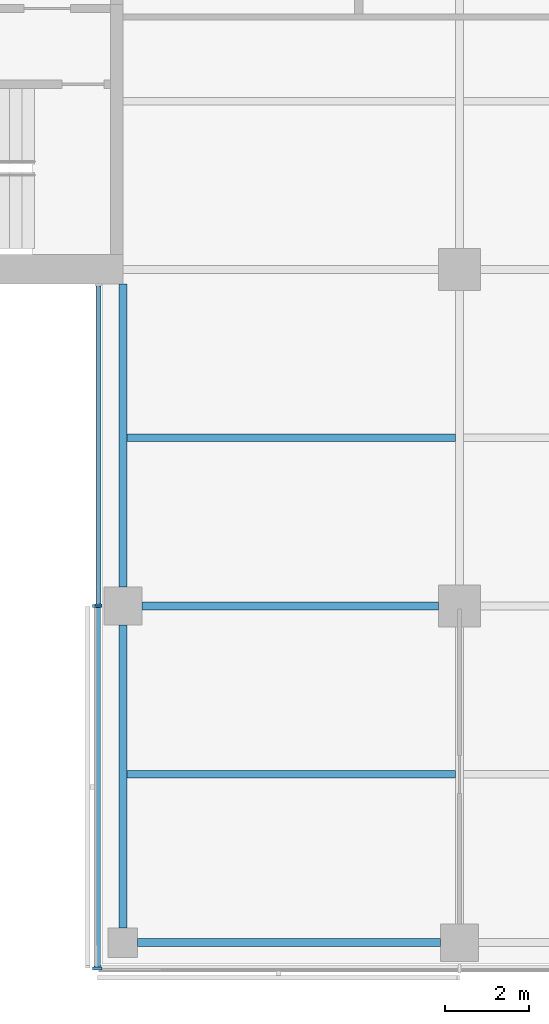
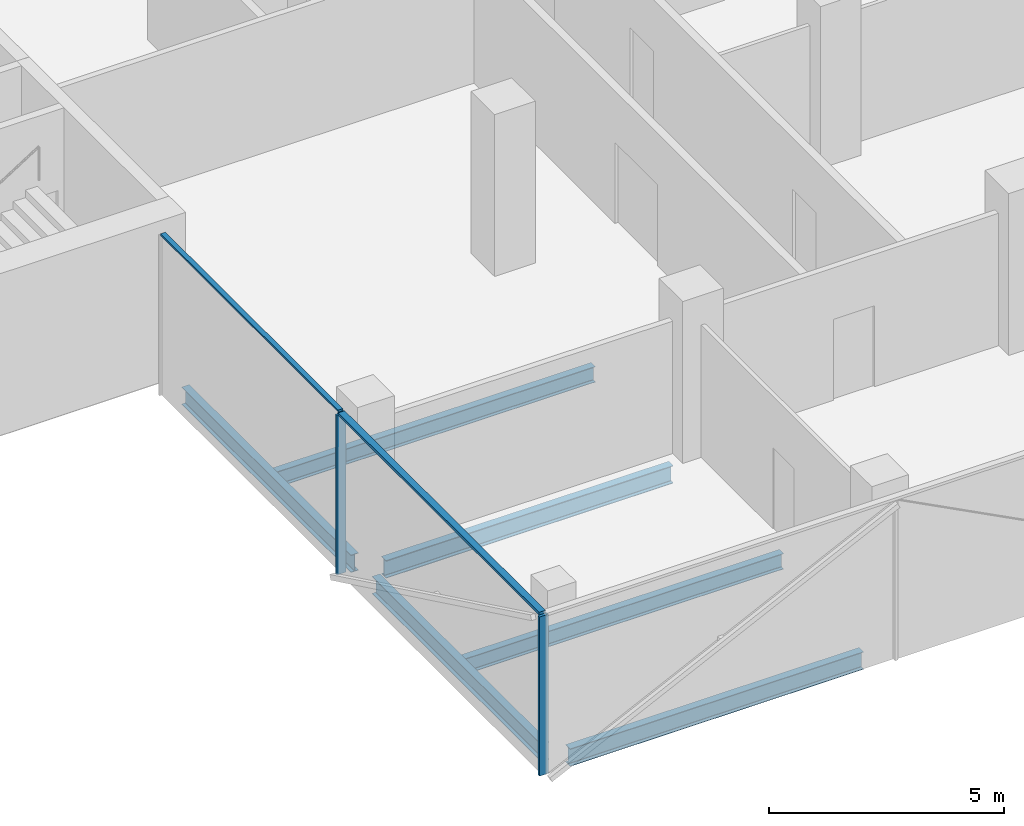
# One storey, part 2 of 22: 6 beams, 5 members, 2 elements without a shape of their own.
"""IFC4 building model written with IfcOpenShell, lengths in metres."""

from ifc_helpers import new_model, si_unit, direction, frame, origin, origin_2d, place, context, subcontext, project, spatial, rectangle, i_section, extrude, material, material_profile, profile_set, type_object, element, aggregate, save


model = new_model("IFC4")

# Units and contexts
model_context = context("Model", 3, precision=1e-05, world=origin(), true_north=direction((0.0, 1.0)))
body_context = subcontext(model_context, "Body", "Model", "MODEL_VIEW")
ifc_project = project(units=[si_unit("LENGTHUNIT", "METRE"), si_unit("AREAUNIT", "SQUARE_METRE"), si_unit("VOLUMEUNIT", "CUBIC_METRE"), si_unit("PLANEANGLEUNIT", "RADIAN"), si_unit("MASSUNIT", "GRAM", prefix="KILO")], contexts=[model_context])

# Site, building, storey
site_placement = place(None, origin())
site = spatial("IfcSite", under=ifc_project, at=site_placement, CompositionType="ELEMENT")
building_placement = place(site_placement, origin())
building = spatial("IfcBuilding", under=site, at=building_placement, Name="Crosswind Convention Tower", CompositionType="ELEMENT")
storey_placement = place(building_placement, frame((0.0, 0.0, 125.300048828125)))
storey = spatial("IfcBuildingStorey", under=building, at=storey_placement, Name="L25", CompositionType="ELEMENT", Elevation=125.300048828125)

# Beams
ifc_material_1 = material(Name="Steel S355", Category="steel")
ifc_material_profile_1 = material_profile(ifc_material_1, i_section(OverallWidth=0.18994140625, OverallDepth=0.45361328125, WebThickness=0.008544921875, FlangeThickness=0.0126953125, FilletRadius=0.01025390625, at=origin_2d()), Name="UB 457x191x67")
ifc_profile_set_1 = profile_set([ifc_material_profile_1], Name="Steel S355")
beam_type_1 = type_object("IfcBeamType", Name="Edge beam UB 457x191x67", PredefinedType="SPANDREL", material=ifc_profile_set_1)
for number, where, z_axis, x_axis, name in (
    (1, (113.0, 72.35009765625, -0.52685546875), (0.0, 1.0, 0.0), (-1.0, 0.0, 0.0), "B16 L25 edge beam 6"),
    (2, (113.0, 80.449951171875, -0.52685546875), (0.0, 1.0, 0.0), (-1.0, 0.0, 0.0), "B16 L25 edge beam 7"),
    (3, (113.35009765625, 72.0, -0.52685546875), (1.0, 0.0, 0.0), (0.0, 1.0, 0.0), "B16 L25 edge beam 10"),
):
    element("IfcBeam", number, at=place(storey_placement, frame(where, z_axis=z_axis, x_axis=x_axis)), inside=storey, type_object=beam_type_1, Name=name, PredefinedType="SPANDREL", context=body_context, shape_type="SweptSolid", body=[
        extrude(i_section(OverallWidth=0.18994140625, OverallDepth=0.45361328125, WebThickness=0.008544921875, FlangeThickness=0.0126953125, FilletRadius=0.01025390625, at=origin_2d()), origin(), (0.0, 0.0, 1.0), 7.199951171875),
    ])
ifc_material_profile_2 = material_profile(ifc_material_1, i_section(OverallWidth=0.19140625, OverallDepth=0.460205078125, WebThickness=0.010009765625, FlangeThickness=0.01611328125, FilletRadius=0.01025390625, at=origin_2d()), Name="UB 457x191x82")
ifc_profile_set_2 = profile_set([ifc_material_profile_2], Name="Steel S355")
beam_type_2 = type_object("IfcBeamType", Name="Girder UB 457x191x82", PredefinedType="BEAM", material=ifc_profile_set_2)
beam_placement = place(storey_placement, frame((113.449951171875, 80.0, -0.530029296875), z_axis=(1.0, 0.0, 0.0), x_axis=(0.0, 1.0, 0.0)))
element("IfcBeam", 4, at=beam_placement, inside=storey, type_object=beam_type_2, Name="B3 L25 girder 1", PredefinedType="BEAM", context=body_context, shape_type="SweptSolid", body=[
    extrude(i_section(OverallWidth=0.19140625, OverallDepth=0.460205078125, WebThickness=0.010009765625, FlangeThickness=0.01611328125, FilletRadius=0.01025390625, at=origin_2d()), origin(), (0.0, 0.0, 1.0), 7.050048828125),
])

# Curtain wall, member
ifc_material_2 = material(Name="Aluminium unitised curtain wall", Category="aluminium")
curtain_wall_type_1 = type_object("IfcCurtainWallType", Name="CORE END SLOT WALL 160", PredefinedType="USERDEFINED", material=ifc_material_2)
curtain_wall_1_placement = place(storey_placement, origin())
curtain_wall_1 = element("IfcCurtainWall", 5, at=curtain_wall_1_placement, inside=storey, type_object=curtain_wall_type_1, Name="CW6 L25 S-W.1-1 slot", ObjectType="UNITISED", PredefinedType="USERDEFINED")
ifc_material_3 = material(Name="Aluminium mullion", Category="aluminium")
ifc_material_profile_3 = material_profile(ifc_material_3, rectangle(XDim=0.159912109375, YDim=0.050048828125, at=origin_2d()), Name="AL 160X50")
ifc_profile_set_3 = profile_set([ifc_material_profile_3], Name="Aluminium mullion")
member_type_1 = type_object("IfcMemberType", Name="MULLION 50X160", PredefinedType="MULLION", material=ifc_profile_set_3)
member_1_placement = place(storey_placement, frame((112.419921875, 80.02490234375, -0.300048828125), z_axis=(0.0, 0.0, 1.0), x_axis=(-1.0, 0.0, 0.0)))
member_1 = element("IfcMember", 6, at=member_1_placement, type_object=member_type_1, Name="CW6 mullion 2", PredefinedType="MULLION", context=body_context, shape_type="SweptSolid", body=[
    extrude(rectangle(XDim=0.159912109375, YDim=0.050048828125, at=origin_2d()), origin(), (0.0, 0.0, 1.0), 4.14990234375),
])

# Curtain wall, members
curtain_wall_type_2 = type_object("IfcCurtainWallType", Name="OFFICE UNITISED WALL 220", PredefinedType="USERDEFINED", material=ifc_material_2)
curtain_wall_2_placement = place(storey_placement, origin())
curtain_wall_2 = element("IfcCurtainWall", 7, at=curtain_wall_2_placement, inside=storey, type_object=curtain_wall_type_2, Name="CW3 L25 S-W 1", ObjectType="UNITISED", PredefinedType="USERDEFINED")
ifc_material_profile_4 = material_profile(ifc_material_3, rectangle(XDim=0.219970703125, YDim=0.070068359375, at=origin_2d()), Name="AL 220X70")
ifc_profile_set_4 = profile_set([ifc_material_profile_4], Name="Aluminium mullion")
member_type_2 = type_object("IfcMemberType", Name="MULLION 70X220", PredefinedType="MULLION", material=ifc_profile_set_4)
member_2_placement = place(storey_placement, frame((112.389892578125, 80.0, -0.300048828125), z_axis=(0.0, 0.0, 1.0), x_axis=(-1.0, 0.0, 0.0)))
member_2 = element("IfcMember", 8, at=member_2_placement, type_object=member_type_2, Name="CW3 mullion 1", PredefinedType="MULLION", context=body_context, shape_type="SweptSolid", body=[
    extrude(rectangle(XDim=0.219970703125, YDim=0.070068359375, at=origin_2d()), origin(), (0.0, 0.0, 1.0), 4.1298828125),
])
member_3_placement = place(storey_placement, frame((112.389892578125, 71.389892578125, -0.300048828125), z_axis=(0.0, 0.0, 1.0), x_axis=(-1.0, 0.0, 0.0)))
member_3 = element("IfcMember", 9, at=member_3_placement, type_object=member_type_2, Name="CW3 mullion 2", PredefinedType="MULLION", context=body_context, shape_type="SweptSolid", body=[
    extrude(rectangle(XDim=0.219970703125, YDim=0.070068359375, at=origin_2d()), origin(), (0.0, 0.0, 1.0), 4.1298828125),
])

# Beams
ifc_material_profile_5 = material_profile(ifc_material_1, i_section(OverallWidth=0.177734375, OverallDepth=0.406494140625, WebThickness=0.0078125, FlangeThickness=0.0126953125, FilletRadius=0.01025390625, at=origin_2d()), Name="UB 406x178x60")
ifc_profile_set_5 = profile_set([ifc_material_profile_5], Name="Steel S355")
beam_type_3 = type_object("IfcBeamType", Name="Secondary beam UB 406x178x60", PredefinedType="JOIST", material=ifc_profile_set_5)
for number, where, z_axis, x_axis, name in (
    (10, (113.094970703125, 76.0, -0.503173828125), (1.0, 0.0, 0.0), (0.0, 1.0, 0.0), "B10 L25 secondary beam 7"),
    (11, (113.094970703125, 84.0, -0.503173828125), (1.0, 0.0, 0.0), (0.0, 1.0, 0.0), "B10 L25 secondary beam 8"),
):
    element("IfcBeam", number, at=place(storey_placement, frame(where, z_axis=z_axis, x_axis=x_axis)), inside=storey, type_object=beam_type_3, Name=name, PredefinedType="JOIST", context=body_context, shape_type="SweptSolid", body=[
        extrude(i_section(OverallWidth=0.177734375, OverallDepth=0.406494140625, WebThickness=0.0078125, FlangeThickness=0.0126953125, FilletRadius=0.01025390625, at=origin_2d()), origin(), (0.0, 0.0, 1.0), 7.809326171875),
    ])

# Member
ifc_material_4 = material(Name="Aluminium transom", Category="aluminium")
ifc_material_profile_6 = material_profile(ifc_material_4, rectangle(XDim=0.1201171875, YDim=0.050048828125, at=origin_2d()), Name="AL 120X50")
ifc_profile_set_6 = profile_set([ifc_material_profile_6], Name="Aluminium transom")
member_type_3 = type_object("IfcMemberType", Name="TRANSOM 50X120", PredefinedType="USERDEFINED", material=ifc_profile_set_6)
member_4_placement = place(storey_placement, frame((112.419921875, 87.60009765625, 3.875), z_axis=(0.0, -1.0, 0.0), x_axis=(1.0, 0.0, 0.0)))
member_4 = element("IfcMember", 12, at=member_4_placement, type_object=member_type_3, Name="CW6 transom", ObjectType="TRANSOM", PredefinedType="USERDEFINED", context=body_context, shape_type="SweptSolid", body=[
    extrude(rectangle(XDim=0.1201171875, YDim=0.050048828125, at=origin_2d()), origin(), (0.0, 0.0, 1.0), 7.550048828125),
])

aggregate(curtain_wall_1, [member_1, member_4])

ifc_material_profile_7 = material_profile(ifc_material_4, rectangle(XDim=0.159912109375, YDim=0.070068359375, at=origin_2d()), Name="AL 160X70")
ifc_profile_set_7 = profile_set([ifc_material_profile_7], Name="Aluminium transom")
member_type_4 = type_object("IfcMemberType", Name="TRANSOM 70X160", PredefinedType="USERDEFINED", material=ifc_profile_set_7)
member_5_placement = place(storey_placement, frame((112.389892578125, 79.965087890625, 3.864990234375), z_axis=(0.0, -1.0, 0.0), x_axis=(1.0, 0.0, 0.0)))
member_5 = element("IfcMember", 13, at=member_5_placement, type_object=member_type_4, Name="CW3 transom", ObjectType="TRANSOM", PredefinedType="USERDEFINED", context=body_context, shape_type="SweptSolid", body=[
    extrude(rectangle(XDim=0.159912109375, YDim=0.070068359375, at=origin_2d()), origin(), (0.0, 0.0, 1.0), 8.5400390625),
])

aggregate(curtain_wall_2, [member_2, member_3, member_5])

save(model, "model.ifc")
